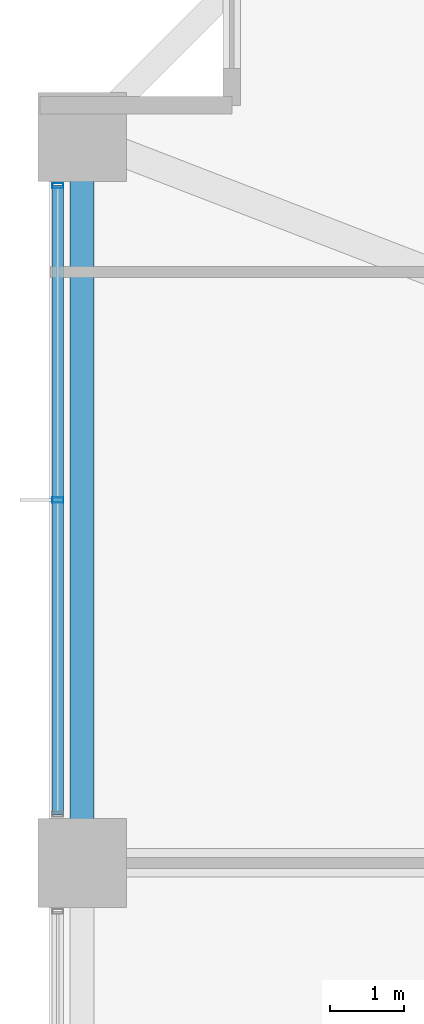
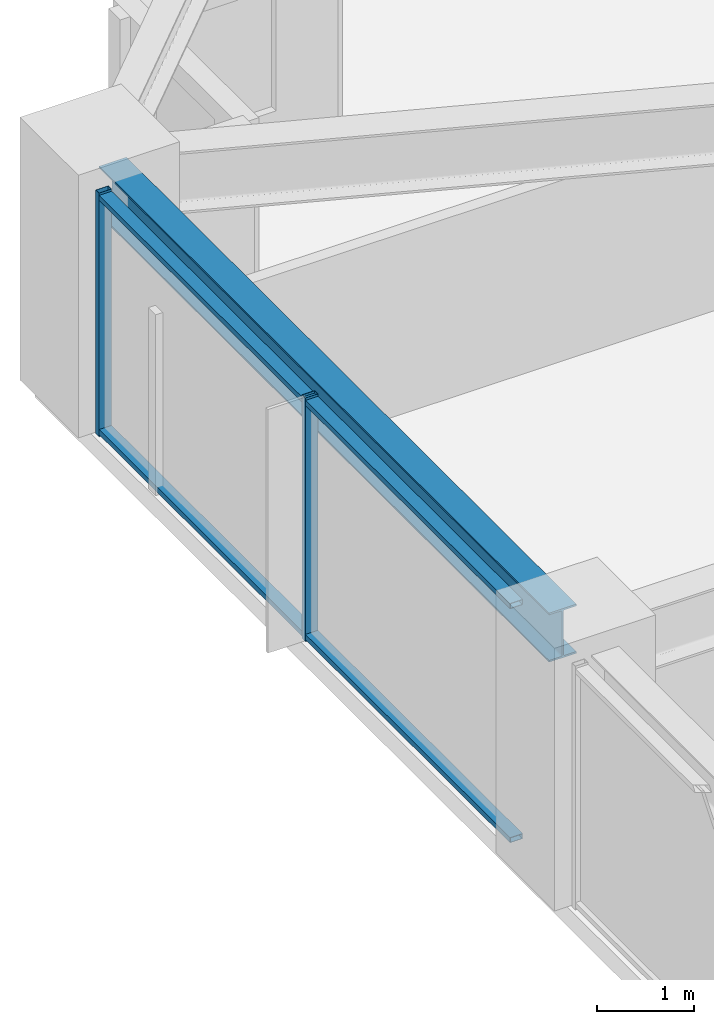
# One storey, part 17 of 38: 4 members, 1 beam, 1 element without a shape of its own.
"""IFC4 building model written with IfcOpenShell, lengths in metres."""

from ifc_helpers import new_model, si_unit, direction, frame, origin, origin_2d, place, context, subcontext, project, spatial, hollow_rectangle, i_section, extrude, material, material_profile, profile_set, type_object, element, aggregate, save


model = new_model("IFC4")

# Units and contexts
model_context = context("Model", 3, precision=1e-05, world=origin(), true_north=direction((0.0, 1.0)))
body_context = subcontext(model_context, "Body", "Model", "MODEL_VIEW")
ifc_project = project(units=[si_unit("LENGTHUNIT", "METRE"), si_unit("AREAUNIT", "SQUARE_METRE"), si_unit("VOLUMEUNIT", "CUBIC_METRE"), si_unit("PLANEANGLEUNIT", "RADIAN"), si_unit("MASSUNIT", "GRAM", prefix="KILO")], contexts=[model_context])

# Site, building, storey
site_placement = place(None, origin())
site = spatial("IfcSite", under=ifc_project, at=site_placement, CompositionType="ELEMENT")
building_placement = place(site_placement, origin())
building = spatial("IfcBuilding", under=site, at=building_placement, Name="Kolvaren Belvedere", CompositionType="ELEMENT")
storey_placement = place(building_placement, frame((0.0, 0.0, 27.10009765625)))
storey = spatial("IfcBuildingStorey", under=building, at=storey_placement, Name="L07", CompositionType="ELEMENT", Elevation=27.10009765625)

# Beam
ifc_material_1 = material(Name="Structural steel ASTM A992 Grade 50", Category="steel")
ifc_material_profile_1 = material_profile(ifc_material_1, i_section(OverallWidth=0.324951171875, OverallDepth=0.615966796875, WebThickness=0.013916015625, FlangeThickness=0.021484375, FilletRadius=0.02001953125, at=origin_2d()), Name="W24X117")
ifc_profile_set_1 = profile_set([ifc_material_profile_1], Name="Structural steel ASTM A992 Grade 50")
beam_type = type_object("IfcBeamType", Name="BM-SPAN-W24X117", PredefinedType="SPANDREL", material=ifc_profile_set_1)
beam_placement = place(storey_placement, frame((-21.550048828125, 14.1298828125, 2.751953125), z_axis=(0.0, -1.0, 0.0), x_axis=(1.0, 0.0, 0.0)))
element("IfcBeam", 1, at=beam_placement, inside=storey, type_object=beam_type, Name="L07 Perimeter Spandrel W4-W3", PredefinedType="SPANDREL", context=body_context, shape_type="SweptSolid", body=[
    extrude(i_section(OverallWidth=0.324951171875, OverallDepth=0.615966796875, WebThickness=0.013916015625, FlangeThickness=0.021484375, FilletRadius=0.02001953125, at=origin_2d()), origin(), (0.0, 0.0, 1.0), 9.259765625),
])

# Curtain wall, members
ifc_material_2 = material(Name="Anodised pale-metal aluminium AA 6063-T6", Category="aluminium")
curtain_wall_type = type_object("IfcCurtainWallType", Name="CW-Z1-LOW", PredefinedType="NOTDEFINED", material=ifc_material_2)
curtain_wall_placement = place(storey_placement, origin())
curtain_wall = element("IfcCurtainWall", 2, at=curtain_wall_placement, inside=storey, type_object=curtain_wall_type, Name="L07 Unitised Curtain Wall FCW-L07-W-B3", PredefinedType="NOTDEFINED")
ifc_material_3 = material(Name="Anodised pale-metal aluminium AA 6063-T6", Category="aluminium")
ifc_material_profile_2 = material_profile(ifc_material_3, hollow_rectangle(XDim=0.070068359375, YDim=0.14990234375, WallThickness=0.004150390625, at=origin_2d()), Name="ALU-MUL-150X70")
ifc_profile_set_2 = profile_set([ifc_material_profile_2], Name="Anodised pale-metal aluminium AA 6063-T6")
member_type_1 = type_object("IfcMemberType", Name="CW-MUL-150", PredefinedType="MULLION", material=ifc_profile_set_2)
member_1_placement = place(storey_placement, frame((-21.8798828125, 9.5, 0.0), z_axis=(0.0, 0.0, 1.0), x_axis=(0.0, 1.0, 0.0)))
member_1 = element("IfcMember", 3, at=member_1_placement, type_object=member_type_1, Name="FCW-L07-W-B3 Unitised Mullion 2", PredefinedType="MULLION", context=body_context, shape_type="SweptSolid", body=[
    extrude(hollow_rectangle(XDim=0.070068359375, YDim=0.14990234375, WallThickness=0.004150390625, at=origin_2d()), origin(), (0.0, 0.0, 1.0), 3.059814453125),
])
member_2_placement = place(storey_placement, frame((-21.8798828125, 13.7451171875, 0.0), z_axis=(0.0, 0.0, 1.0), x_axis=(0.0, 1.0, 0.0)))
member_2 = element("IfcMember", 4, at=member_2_placement, type_object=member_type_1, Name="FCW-L07-W-B3 Unitised Mullion 3", PredefinedType="MULLION", context=body_context, shape_type="SweptSolid", body=[
    extrude(hollow_rectangle(XDim=0.070068359375, YDim=0.14990234375, WallThickness=0.004150390625, at=origin_2d()), origin(), (0.0, 0.0, 1.0), 3.059814453125),
])
ifc_material_4 = material(Name="Anodised pale-metal aluminium AA 6063-T6", Category="aluminium")
ifc_material_profile_3 = material_profile(ifc_material_4, hollow_rectangle(XDim=0.06494140625, YDim=0.14990234375, WallThickness=0.00390625, at=origin_2d()), Name="ALU-TRN-150X65")
ifc_profile_set_3 = profile_set([ifc_material_profile_3], Name="Anodised pale-metal aluminium AA 6063-T6")
member_type_2 = type_object("IfcMemberType", Name="CW-TRN-150", PredefinedType="USERDEFINED", material=ifc_profile_set_3)
member_3_placement = place(storey_placement, frame((-21.8798828125, 5.2548828125, 0.059814453125), z_axis=(0.0, 1.0, 0.0), x_axis=(0.0, 0.0, 1.0)))
member_3 = element("IfcMember", 5, at=member_3_placement, type_object=member_type_2, Name="FCW-L07-W-B3 Sill Transom", ObjectType="TRANSOM", PredefinedType="USERDEFINED", context=body_context, shape_type="SweptSolid", body=[
    extrude(hollow_rectangle(XDim=0.06494140625, YDim=0.14990234375, WallThickness=0.00390625, at=origin_2d()), origin(), (0.0, 0.0, 1.0), 8.490234375),
])
member_4_placement = place(storey_placement, frame((-21.8798828125, 5.2548828125, 3.0), z_axis=(0.0, 1.0, 0.0), x_axis=(0.0, 0.0, 1.0)))
member_4 = element("IfcMember", 6, at=member_4_placement, type_object=member_type_2, Name="FCW-L07-W-B3 Head Transom", ObjectType="TRANSOM", PredefinedType="USERDEFINED", context=body_context, shape_type="SweptSolid", body=[
    extrude(hollow_rectangle(XDim=0.06494140625, YDim=0.14990234375, WallThickness=0.00390625, at=origin_2d()), origin(), (0.0, 0.0, 1.0), 8.490234375),
])
aggregate(curtain_wall, [member_1, member_2, member_3, member_4])

save(model, "model.ifc")
